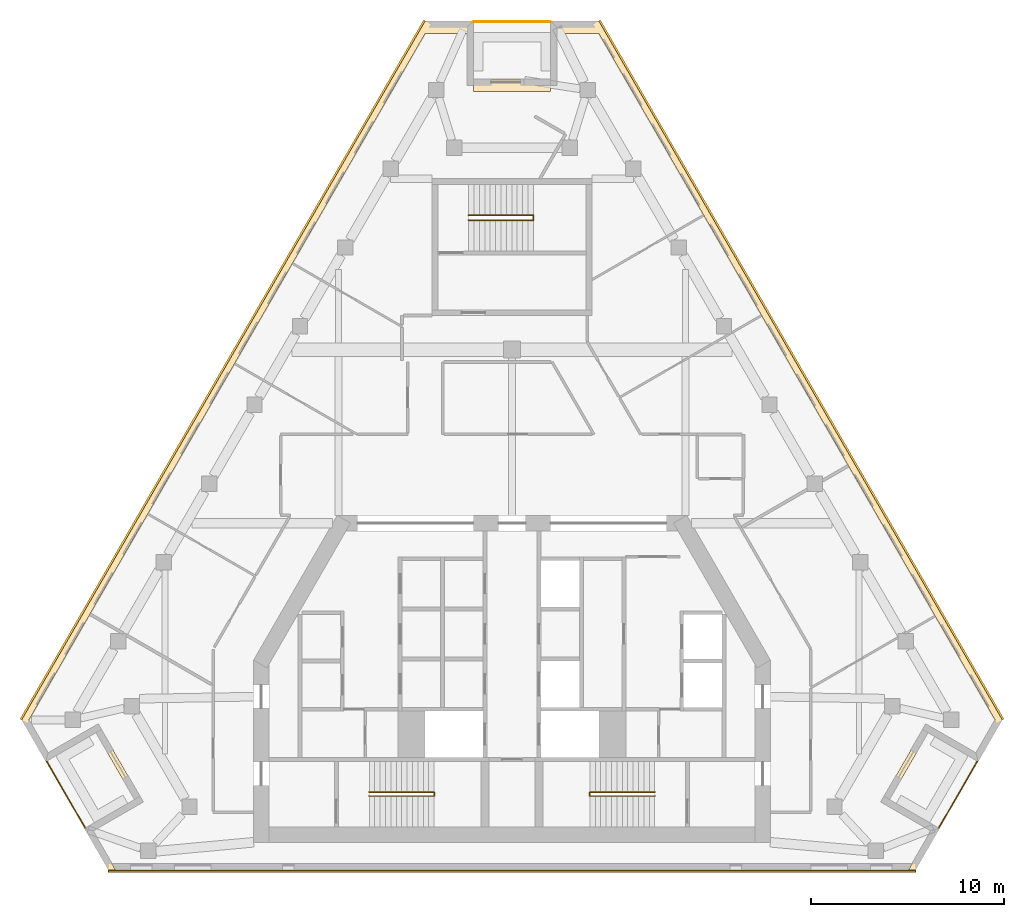
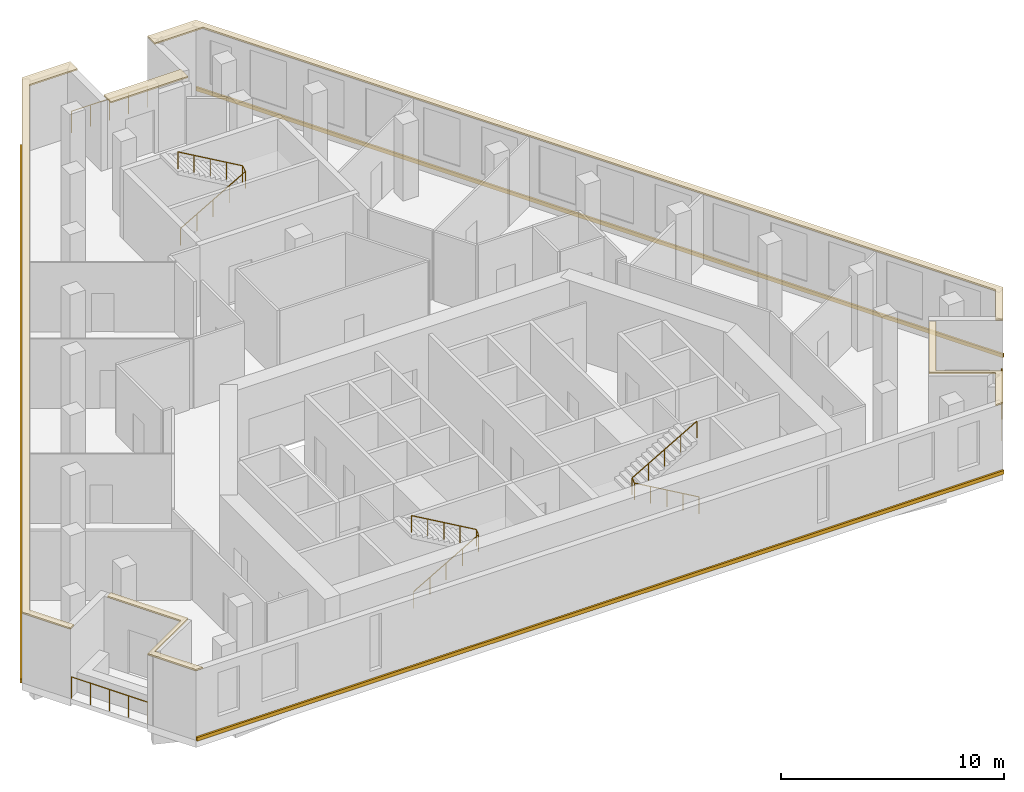
# One storey, part 9 of 9: 8 coverings, 6 railings.
"""IFC4 building model written with IfcOpenShell, lengths in metres."""

from ifc_helpers import new_model, si_unit, direction, frame, origin, origin_2d, place, context, subcontext, project, spatial, polyline, circle, outline, extrude, material, layer, layer_set, type_object, element, save


model = new_model("IFC4")

# Units and contexts
model_context = context("Model", 3, precision=1e-05, world=origin(), true_north=direction((0.0, 1.0)))
body_context = subcontext(model_context, "Body", "Model", "MODEL_VIEW")
ifc_project = project(units=[si_unit("LENGTHUNIT", "METRE"), si_unit("AREAUNIT", "SQUARE_METRE"), si_unit("VOLUMEUNIT", "CUBIC_METRE"), si_unit("PLANEANGLEUNIT", "RADIAN"), si_unit("MASSUNIT", "GRAM", prefix="KILO")], contexts=[model_context])

# Site, building, storey
site_placement = place(None, origin())
site = spatial("IfcSite", under=ifc_project, at=site_placement, CompositionType="ELEMENT")
building_placement = place(site_placement, origin())
building = spatial("IfcBuilding", under=site, at=building_placement, Name="Fogline Exchange Tower", CompositionType="ELEMENT")
storey_placement = place(building_placement, frame((0.0, 0.0, 287.699951171875)))
storey = spatial("IfcBuildingStorey", under=building, at=storey_placement, Name="L65", CompositionType="ELEMENT", Elevation=287.699951171875)

# Coverings
ifc_material_1 = material(Name="Granite", Category="masonry")
ifc_layer = layer(ifc_material_1, 0.080078125)
ifc_layer_set = layer_set([ifc_layer], Name="CP1")
covering_type_1 = type_object("IfcCoveringType", Name="CP1", PredefinedType="USERDEFINED", material=ifc_layer_set)
covering_1_placement = place(storey_placement, frame((0.0, 0.0, 3.800048828125)))
element("IfcCovering", 1, at=covering_1_placement, inside=storey, type_object=covering_type_1, Name="Ledge coping L65", ObjectType="COPING", PredefinedType="USERDEFINED", context=body_context, shape_type="SweptSolid", body=[
    extrude(outline(polyline([(-24.174560546875, 5.629150390625), (-23.895263671875, 5.790283203125), (-25.05224609375, 7.794189453125), (-4.5, 43.3916015625), (-2.0, 43.3916015625), (-2.0, 44.03662109375), (-4.5, 44.03662109375), (-25.424560546875, 7.794189453125), (-24.174560546875, 5.629150390625)])), origin(), (0.0, 0.0, 1.0), 0.080078125),
])
covering_2_placement = place(storey_placement, frame((0.0, 0.0, 3.800048828125)))
element("IfcCovering", 2, at=covering_2_placement, inside=storey, type_object=covering_type_1, Name="Ledge coping L65", ObjectType="COPING", PredefinedType="USERDEFINED", context=body_context, shape_type="SweptSolid", body=[
    extrude(outline(polyline([(-20.924560546875, 0.0), (-20.55224609375, 0.0), (-21.80224609375, 2.1650390625), (-19.2041015625, 3.6650390625), (-21.2041015625, 7.129150390625), (-21.4833984375, 6.968017578125), (-19.576416015625, 3.6650390625), (-22.174560546875, 2.1650390625), (-20.924560546875, 0.0)])), origin(), (0.0, 0.0, 1.0), 0.080078125),
])
covering_3_placement = place(storey_placement, frame((0.0, 0.0, 3.800048828125)))
element("IfcCovering", 3, at=covering_3_placement, inside=storey, type_object=covering_type_1, Name="Ledge coping L65", ObjectType="COPING", PredefinedType="USERDEFINED", context=body_context, shape_type="SweptSolid", body=[
    extrude(outline(polyline([(19.576416015625, 3.6650390625), (21.4833984375, 6.968017578125), (21.2041015625, 7.129150390625), (19.2041015625, 3.6650390625), (21.80224609375, 2.1650390625), (20.55224609375, 0.0), (20.924560546875, 0.0), (22.174560546875, 2.1650390625), (19.576416015625, 3.6650390625)])), origin(), (0.0, 0.0, 1.0), 0.080078125),
])
covering_4_placement = place(storey_placement, frame((0.0, 0.0, 3.800048828125)))
element("IfcCovering", 4, at=covering_4_placement, inside=storey, type_object=covering_type_1, Name="Ledge coping L65", ObjectType="COPING", PredefinedType="USERDEFINED", context=body_context, shape_type="SweptSolid", body=[
    extrude(outline(polyline([(2.0, 44.03662109375), (2.0, 43.3916015625), (4.5, 43.3916015625), (25.05224609375, 7.794189453125), (23.895263671875, 5.790283203125), (24.174560546875, 5.629150390625), (25.424560546875, 7.794189453125), (4.5, 44.03662109375), (2.0, 44.03662109375)])), origin(), (0.0, 0.0, 1.0), 0.080078125),
])
covering_5_placement = place(storey_placement, frame((0.0, 0.0, 3.800048828125)))
element("IfcCovering", 5, at=covering_5_placement, inside=storey, type_object=covering_type_1, Name="Ledge coping L65", ObjectType="COPING", PredefinedType="USERDEFINED", context=body_context, shape_type="SweptSolid", body=[
    extrude(outline(polyline([(2.0, 41.03662109375), (-2.0, 41.03662109375), (-2.0, 40.3916015625), (2.0, 40.3916015625), (2.0, 41.03662109375)])), origin(), (0.0, 0.0, 1.0), 0.080078125),
])

# Railings
ifc_material_2 = material(Name="Stainless steel 304", Category="steel")
railing_type_1 = type_object("IfcRailingType", Name="G1", PredefinedType="GUARDRAIL", material=ifc_material_2)
railing_1_placement = place(storey_placement, frame((-24.120849609375, 5.635986328125, 0.0)))
element("IfcRailing", 6, at=railing_1_placement, inside=storey, type_object=railing_type_1, Name="Balcony guard L65 SW", PredefinedType="GUARDRAIL", context=body_context, shape_type="SweptSolid", body=[
    extrude(circle(Radius=0.02392578125, at=origin_2d()), frame((0.0, 0.0, 1.17578125), z_axis=(0.500000102728, -0.866025344474, 0.0), x_axis=(0.866025344474, 0.500000102728, 0.0)), (0.0, 0.0, 1.0), 3.9580078125),
    extrude(circle(Radius=0.02099609375, at=origin_2d()), origin(), (0.0, 0.0, 1.0), 1.15185546875),
    extrude(circle(Radius=0.02099609375, at=origin_2d()), frame((0.49462890625, -0.85693359375, 0.0)), (0.0, 0.0, 1.0), 1.15185546875),
    extrude(circle(Radius=0.02099609375, at=origin_2d()), frame((0.989501953125, -1.7138671875, 0.0)), (0.0, 0.0, 1.0), 1.15185546875),
    extrude(circle(Radius=0.02099609375, at=origin_2d()), frame((1.484375, -2.57080078125, 0.0)), (0.0, 0.0, 1.0), 1.15185546875),
    extrude(circle(Radius=0.02099609375, at=origin_2d()), frame((1.97900390625, -3.427734375, 0.0)), (0.0, 0.0, 1.0), 1.15185546875),
])
railing_2_placement = place(storey_placement, frame((22.141845703125, 2.208251953125, 0.0)))
element("IfcRailing", 7, at=railing_2_placement, inside=storey, type_object=railing_type_1, Name="Balcony guard L65 SE", PredefinedType="GUARDRAIL", context=body_context, shape_type="SweptSolid", body=[
    extrude(circle(Radius=0.02392578125, at=origin_2d()), frame((0.0, 0.0, 1.17578125), z_axis=(0.500000102728, 0.866025344474, 0.0), x_axis=(-0.866025344474, 0.500000102728, 0.0)), (0.0, 0.0, 1.0), 3.9580078125),
    extrude(circle(Radius=0.02099609375, at=origin_2d()), origin(), (0.0, 0.0, 1.0), 1.15185546875),
    extrude(circle(Radius=0.02099609375, at=origin_2d()), frame((0.49462890625, 0.85693359375, 0.0)), (0.0, 0.0, 1.0), 1.15185546875),
    extrude(circle(Radius=0.02099609375, at=origin_2d()), frame((0.989501953125, 1.7138671875, 0.0)), (0.0, 0.0, 1.0), 1.15185546875),
    extrude(circle(Radius=0.02099609375, at=origin_2d()), frame((1.484375, 2.57080078125, 0.0)), (0.0, 0.0, 1.0), 1.15185546875),
    extrude(circle(Radius=0.02099609375, at=origin_2d()), frame((1.97900390625, 3.427734375, 0.0)), (0.0, 0.0, 1.0), 1.15185546875),
])
railing_3_placement = place(storey_placement, frame((1.97900390625, 43.98681640625, 0.0)))
element("IfcRailing", 8, at=railing_3_placement, inside=storey, type_object=railing_type_1, Name="Balcony guard L65 N", PredefinedType="GUARDRAIL", context=body_context, shape_type="SweptSolid", body=[
    extrude(circle(Radius=0.02392578125, at=origin_2d()), frame((0.0, 0.0, 1.17578125), z_axis=(-1.0, 0.0, 0.0), x_axis=(0.0, -1.0, 0.0)), (0.0, 0.0, 1.0), 3.9580078125),
    extrude(circle(Radius=0.02099609375, at=origin_2d()), origin(), (0.0, 0.0, 1.0), 1.15185546875),
    extrude(circle(Radius=0.02099609375, at=origin_2d()), frame((-0.989501953125, 0.0, 0.0)), (0.0, 0.0, 1.0), 1.15185546875),
    extrude(circle(Radius=0.02099609375, at=origin_2d()), frame((-1.97900390625, 0.0, 0.0)), (0.0, 0.0, 1.0), 1.15185546875),
    extrude(circle(Radius=0.02099609375, at=origin_2d()), frame((-2.968505859375, 0.0, 0.0)), (0.0, 0.0, 1.0), 1.15185546875),
    extrude(circle(Radius=0.02099609375, at=origin_2d()), frame((-3.9580078125, 0.0, 0.0)), (0.0, 0.0, 1.0), 1.15185546875),
])
ifc_material_3 = material(Name="Steel Q235B", Category="steel")
railing_type_2 = type_object("IfcRailingType", Name="RL-HR", PredefinedType="HANDRAIL", material=ifc_material_3)
railing_4_placement = place(storey_placement, frame((-7.39990234375, 3.85009765625, 0.16162109375)))
element("IfcRailing", 9, at=railing_4_placement, inside=storey, type_object=railing_type_2, Name="Handrail ST1", PredefinedType="HANDRAIL", context=body_context, shape_type="SweptSolid", body=[
    extrude(circle(Radius=0.02392578125, at=origin_2d()), frame((0.0, 0.0, 0.92578125), z_axis=(0.866175107563, 0.0, 0.499740615757), x_axis=(0.0, 1.0, 0.0)), (0.0, 0.0, 1.0), 3.87890625),
    extrude(circle(Radius=0.02392578125, at=origin_2d()), frame((3.35986328125, 0.0, 2.8642578125), z_axis=(0.0, 0.778173348306, 0.628049552174), x_axis=(-1.0, 0.0, 0.0)), (0.0, 0.0, 1.0), 0.2568359375),
    extrude(circle(Radius=0.02392578125, at=origin_2d()), frame((3.35986328125, 0.199951171875, 3.02587890625), z_axis=(-0.866175107563, 0.0, 0.499740615757), x_axis=(0.0, -1.0, 0.0)), (0.0, 0.0, 1.0), 3.87890625),
    extrude(circle(Radius=0.02099609375, at=origin_2d()), origin(), (0.0, 0.0, 1.0), 0.90185546875),
    extrude(circle(Radius=0.02099609375, at=origin_2d()), frame((0.83984375, 0.0, 0.484619140625)), (0.0, 0.0, 1.0), 0.90185546875),
    extrude(circle(Radius=0.02099609375, at=origin_2d()), frame((1.679931640625, 0.0, 0.96923828125)), (0.0, 0.0, 1.0), 0.90185546875),
    extrude(circle(Radius=0.02099609375, at=origin_2d()), frame((2.52001953125, 0.0, 1.453857421875)), (0.0, 0.0, 1.0), 0.90185546875),
    extrude(circle(Radius=0.02099609375, at=origin_2d()), frame((3.35986328125, 0.0, 1.9384765625)), (0.0, 0.0, 1.0), 0.90185546875),
    extrude(circle(Radius=0.02099609375, at=origin_2d()), frame((3.35986328125, 0.199951171875, 2.099853515625)), (0.0, 0.0, 1.0), 0.90185546875),
    extrude(circle(Radius=0.02099609375, at=origin_2d()), frame((2.52001953125, 0.199951171875, 2.58447265625)), (0.0, 0.0, 1.0), 0.90185546875),
    extrude(circle(Radius=0.02099609375, at=origin_2d()), frame((1.679931640625, 0.199951171875, 3.069091796875)), (0.0, 0.0, 1.0), 0.90185546875),
    extrude(circle(Radius=0.02099609375, at=origin_2d()), frame((0.83984375, 0.199951171875, 3.5537109375)), (0.0, 0.0, 1.0), 0.90185546875),
    extrude(circle(Radius=0.02099609375, at=origin_2d()), frame((0.0, 0.199951171875, 4.038330078125)), (0.0, 0.0, 1.0), 0.90185546875),
])
railing_5_placement = place(storey_placement, frame((7.39990234375, 3.85009765625, 0.16162109375)))
element("IfcRailing", 10, at=railing_5_placement, inside=storey, type_object=railing_type_2, Name="Handrail ST2", PredefinedType="HANDRAIL", context=body_context, shape_type="SweptSolid", body=[
    extrude(circle(Radius=0.02392578125, at=origin_2d()), frame((0.0, 0.0, 0.92578125), z_axis=(-0.866175107563, 0.0, 0.499740615757), x_axis=(0.0, -1.0, 0.0)), (0.0, 0.0, 1.0), 3.87890625),
    extrude(circle(Radius=0.02392578125, at=origin_2d()), frame((-3.35986328125, 0.0, 2.8642578125), z_axis=(0.0, 0.778173348306, 0.628049552174), x_axis=(-1.0, 0.0, 0.0)), (0.0, 0.0, 1.0), 0.2568359375),
    extrude(circle(Radius=0.02392578125, at=origin_2d()), frame((-3.35986328125, 0.199951171875, 3.02587890625), z_axis=(0.866175107563, 0.0, 0.499740615757), x_axis=(0.0, 1.0, 0.0)), (0.0, 0.0, 1.0), 3.87890625),
    extrude(circle(Radius=0.02099609375, at=origin_2d()), origin(), (0.0, 0.0, 1.0), 0.90185546875),
    extrude(circle(Radius=0.02099609375, at=origin_2d()), frame((-0.83984375, 0.0, 0.484619140625)), (0.0, 0.0, 1.0), 0.90185546875),
    extrude(circle(Radius=0.02099609375, at=origin_2d()), frame((-1.679931640625, 0.0, 0.96923828125)), (0.0, 0.0, 1.0), 0.90185546875),
    extrude(circle(Radius=0.02099609375, at=origin_2d()), frame((-2.52001953125, 0.0, 1.453857421875)), (0.0, 0.0, 1.0), 0.90185546875),
    extrude(circle(Radius=0.02099609375, at=origin_2d()), frame((-3.35986328125, 0.0, 1.9384765625)), (0.0, 0.0, 1.0), 0.90185546875),
    extrude(circle(Radius=0.02099609375, at=origin_2d()), frame((-3.35986328125, 0.199951171875, 2.099853515625)), (0.0, 0.0, 1.0), 0.90185546875),
    extrude(circle(Radius=0.02099609375, at=origin_2d()), frame((-2.52001953125, 0.199951171875, 2.58447265625)), (0.0, 0.0, 1.0), 0.90185546875),
    extrude(circle(Radius=0.02099609375, at=origin_2d()), frame((-1.679931640625, 0.199951171875, 3.069091796875)), (0.0, 0.0, 1.0), 0.90185546875),
    extrude(circle(Radius=0.02099609375, at=origin_2d()), frame((-0.83984375, 0.199951171875, 3.5537109375)), (0.0, 0.0, 1.0), 0.90185546875),
    extrude(circle(Radius=0.02099609375, at=origin_2d()), frame((0.0, 0.199951171875, 4.038330078125)), (0.0, 0.0, 1.0), 0.90185546875),
])
railing_6_placement = place(storey_placement, frame((-2.25, 33.70703125, 0.16162109375)))
element("IfcRailing", 11, at=railing_6_placement, inside=storey, type_object=railing_type_2, Name="Handrail ST3", PredefinedType="HANDRAIL", context=body_context, shape_type="SweptSolid", body=[
    extrude(circle(Radius=0.02392578125, at=origin_2d()), frame((0.0, 0.0, 0.92578125), z_axis=(0.866190824863, 0.0, 0.499713372768), x_axis=(0.0, 1.0, 0.0)), (0.0, 0.0, 1.0), 3.879150390625),
    extrude(circle(Radius=0.02392578125, at=origin_2d()), frame((3.360107421875, 0.0, 2.8642578125), z_axis=(0.0, 0.840163997081, 0.542332423897), x_axis=(-1.0, 0.0, 0.0)), (0.0, 0.0, 1.0), 0.297607421875),
    extrude(circle(Radius=0.02392578125, at=origin_2d()), frame((3.360107421875, 0.25, 3.02587890625), z_axis=(-0.866190824863, 0.0, 0.499713372768), x_axis=(0.0, -1.0, 0.0)), (0.0, 0.0, 1.0), 3.879150390625),
    extrude(circle(Radius=0.02099609375, at=origin_2d()), origin(), (0.0, 0.0, 1.0), 0.90185546875),
    extrude(circle(Radius=0.02099609375, at=origin_2d()), frame((0.840087890625, 0.0, 0.484619140625)), (0.0, 0.0, 1.0), 0.90185546875),
    extrude(circle(Radius=0.02099609375, at=origin_2d()), frame((1.68017578125, 0.0, 0.96923828125)), (0.0, 0.0, 1.0), 0.90185546875),
    extrude(circle(Radius=0.02099609375, at=origin_2d()), frame((2.52001953125, 0.0, 1.453857421875)), (0.0, 0.0, 1.0), 0.90185546875),
    extrude(circle(Radius=0.02099609375, at=origin_2d()), frame((3.360107421875, 0.0, 1.9384765625)), (0.0, 0.0, 1.0), 0.90185546875),
    extrude(circle(Radius=0.02099609375, at=origin_2d()), frame((3.360107421875, 0.25, 2.099853515625)), (0.0, 0.0, 1.0), 0.90185546875),
    extrude(circle(Radius=0.02099609375, at=origin_2d()), frame((2.52001953125, 0.25, 2.58447265625)), (0.0, 0.0, 1.0), 0.90185546875),
    extrude(circle(Radius=0.02099609375, at=origin_2d()), frame((1.68017578125, 0.25, 3.069091796875)), (0.0, 0.0, 1.0), 0.90185546875),
    extrude(circle(Radius=0.02099609375, at=origin_2d()), frame((0.840087890625, 0.25, 3.5537109375)), (0.0, 0.0, 1.0), 0.90185546875),
    extrude(circle(Radius=0.02099609375, at=origin_2d()), frame((0.0, 0.25, 4.038330078125)), (0.0, 0.0, 1.0), 0.90185546875),
])

# Coverings
ifc_material_4 = material(Name="Brick masonry", Category="masonry")
covering_type_2 = type_object("IfcCoveringType", Name="SB1", PredefinedType="CLADDING", material=ifc_material_4)
covering_6_placement = place(storey_placement, origin())
element("IfcCovering", 12, at=covering_6_placement, inside=storey, type_object=covering_type_2, Name="Stringcourse band L65 S", PredefinedType="CLADDING", context=body_context, shape_type="SweptSolid", body=[
    extrude(outline(polyline([(-20.924560546875, 0.0), (-20.924560546875, -0.10009765625), (20.924560546875, -0.10009765625), (20.924560546875, 0.0), (-20.924560546875, 0.0)])), origin(), (0.0, 0.0, 1.0), 0.199951171875),
])
covering_7_placement = place(storey_placement, origin())
element("IfcCovering", 13, at=covering_7_placement, inside=storey, type_object=covering_type_2, Name="Stringcourse band L65 E", PredefinedType="CLADDING", context=body_context, shape_type="SweptSolid", body=[
    extrude(outline(polyline([(25.424560546875, 7.794189453125), (25.51123046875, 7.84423828125), (4.586669921875, 44.086669921875), (4.5, 44.03662109375), (25.424560546875, 7.794189453125)])), origin(), (0.0, 0.0, 1.0), 0.199951171875),
])
covering_8_placement = place(storey_placement, origin())
element("IfcCovering", 14, at=covering_8_placement, inside=storey, type_object=covering_type_2, Name="Stringcourse band L65 W", PredefinedType="CLADDING", context=body_context, shape_type="SweptSolid", body=[
    extrude(outline(polyline([(-4.5, 44.03662109375), (-4.586669921875, 44.086669921875), (-25.51123046875, 7.84423828125), (-25.424560546875, 7.794189453125), (-4.5, 44.03662109375)])), origin(), (0.0, 0.0, 1.0), 0.199951171875),
])

save(model, "model.ifc")
